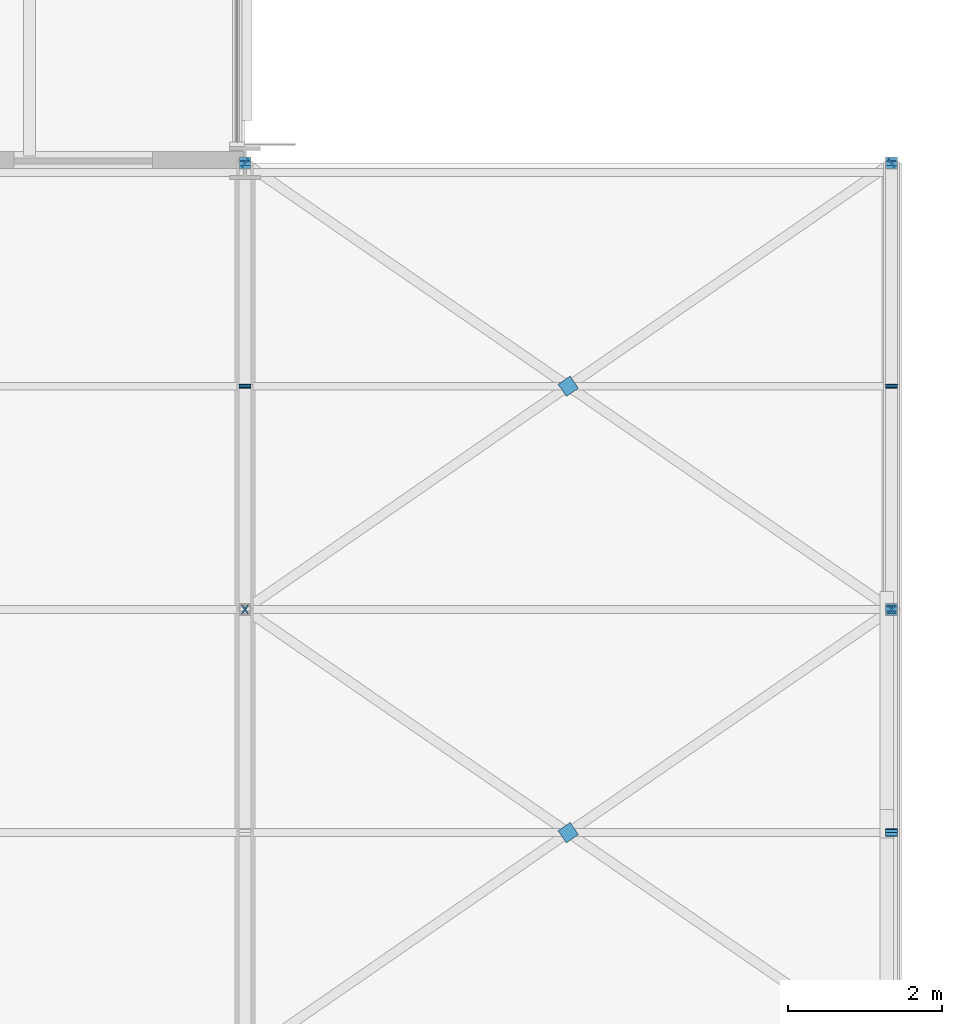
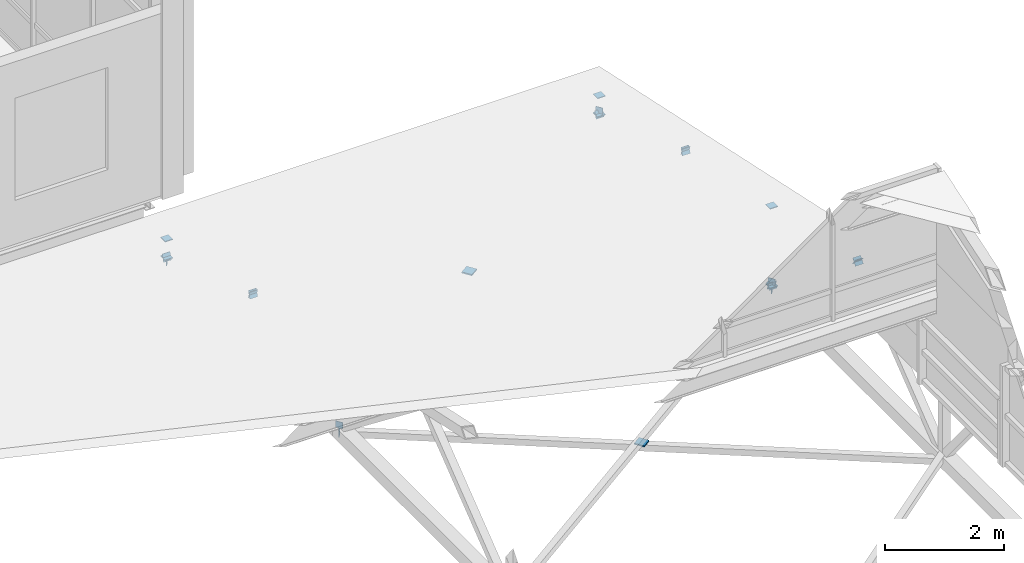
# One storey, part 71 of 89: 24 discrete accessories.
"""IFC4 building model written with IfcOpenShell, lengths in metres."""

from ifc_helpers import new_model, si_unit, direction, frame, origin, origin_2d, place, context, subcontext, project, spatial, rectangle, extrude, material, element, save


model = new_model("IFC4")

# Units and contexts
model_context = context("Model", 3, precision=1e-05, world=origin(), true_north=direction((0.0, 1.0)))
body_context = subcontext(model_context, "Body", "Model", "MODEL_VIEW")
ifc_project = project(units=[si_unit("LENGTHUNIT", "METRE"), si_unit("AREAUNIT", "SQUARE_METRE"), si_unit("VOLUMEUNIT", "CUBIC_METRE"), si_unit("PLANEANGLEUNIT", "RADIAN"), si_unit("MASSUNIT", "GRAM", prefix="KILO")], contexts=[model_context])

# Site, building, storey
site_placement = place(None, origin())
site = spatial("IfcSite", under=ifc_project, at=site_placement, CompositionType="ELEMENT")
building_placement = place(site_placement, origin())
building = spatial("IfcBuilding", under=site, at=building_placement, Name="Hlaing Beacon Police Headquarters", CompositionType="ELEMENT")
storey_placement = place(building_placement, frame((0.0, 0.0, 9.89990234375)))
storey = spatial("IfcBuildingStorey", under=building, at=storey_placement, Name="L02", CompositionType="ELEMENT", Elevation=9.89990234375)

# Discrete accessories
ifc_material = material(Name="Steel ASTM A572 Grade 50", Category="steel")
for number, where, z_axis, x_axis, name in (
    (1, (126.0, 33.60009765625, -1.36474609375), (0.0, 0.0, -1.0), (1.0, 0.0, 0.0), "Gusset plate GP-631"),
    (2, (126.0, 33.60009765625, -0.999755859375), (0.0, 0.0, 1.0), (1.0, 0.0, 0.0), "Gusset plate GP-632"),
):
    element("IfcDiscreteAccessory", number, at=place(storey_placement, frame(where, z_axis=z_axis, x_axis=x_axis)), inside=storey, material=ifc_material, Name=name, PredefinedType="BRACKET", context=body_context, shape_type="SweptSolid", body=[
        extrude(rectangle(XDim=0.15234375, YDim=0.15234375, at=origin_2d()), origin(), (0.0, 0.0, 1.0), 0.01611328125),
    ])
for number, where, z_axis, x_axis, name in (
    (3, (126.0, 30.6943359375, -0.36865234375), (0.0, 0.944755103934, 0.327777048603), (-1.0, 0.0, 0.0), "Gusset plate GP-646"),
    (4, (126.0, 30.70556640625, -0.36865234375), (0.0, -0.944763648383, 0.327752419815), (1.0, 0.0, 0.0), "Gusset plate GP-647"),
    (5, (126.0, 33.594482421875, -1.370849609375), (0.0, 0.944763648383, -0.327752419815), (-1.0, 0.0, 0.0), "Gusset plate GP-648"),
):
    element("IfcDiscreteAccessory", number, at=place(storey_placement, frame(where, z_axis=z_axis, x_axis=x_axis)), inside=storey, material=ifc_material, Name=name, PredefinedType="BRACKET", context=body_context, shape_type="SweptSolid", body=[
        extrude(rectangle(XDim=0.15234375, YDim=0.15234375, at=origin_2d()), origin(), (0.0, 0.0, 1.0), 0.011962890625),
    ])
for number, where, z_axis, x_axis, name in (
    (6, (134.39990234375, 27.800048828125, -1.36474609375), (0.0, 0.0, -1.0), (1.0, 0.0, 0.0), "Gusset plate GP-655"),
    (7, (134.39990234375, 27.800048828125, 0.250244140625), (0.0, 0.0, 1.0), (1.0, 0.0, 0.0), "Gusset plate GP-656"),
    (8, (134.39990234375, 33.60009765625, -1.36474609375), (0.0, 0.0, -1.0), (1.0, 0.0, 0.0), "Gusset plate GP-657"),
    (9, (134.39990234375, 33.60009765625, -0.999755859375), (0.0, 0.0, 1.0), (1.0, 0.0, 0.0), "Gusset plate GP-658"),
):
    element("IfcDiscreteAccessory", number, at=place(storey_placement, frame(where, z_axis=z_axis, x_axis=x_axis)), inside=storey, material=ifc_material, Name=name, PredefinedType="BRACKET", context=body_context, shape_type="SweptSolid", body=[
        extrude(rectangle(XDim=0.15234375, YDim=0.15234375, at=origin_2d()), origin(), (0.0, 0.0, 1.0), 0.01611328125),
    ])
for number, where, z_axis, x_axis, name in (
    (10, (134.39990234375, 24.89501953125, 0.879638671875), (0.0, 0.789269916933, 0.614046413738), (-1.0, 0.0, 0.0), "Gusset plate GP-668"),
    (11, (134.39990234375, 24.904541015625, 0.879638671875), (0.0, -0.789294969398, 0.614014210978), (1.0, 0.0, 0.0), "Gusset plate GP-669"),
    (12, (134.39990234375, 27.795166015625, -1.369140625), (0.0, 0.789294969398, -0.614014210978), (-1.0, 0.0, 0.0), "Gusset plate GP-670"),
    (13, (134.39990234375, 27.8056640625, -1.370849609375), (0.0, -0.944755103934, -0.327777048603), (1.0, 0.0, 0.0), "Gusset plate GP-671"),
    (14, (134.39990234375, 30.6943359375, -0.36865234375), (0.0, 0.944755103934, 0.327777048603), (-1.0, 0.0, 0.0), "Gusset plate GP-672"),
    (15, (134.39990234375, 30.70556640625, -0.36865234375), (0.0, -0.944763648383, 0.327752419815), (1.0, 0.0, 0.0), "Gusset plate GP-673"),
    (16, (134.39990234375, 33.594482421875, -1.370849609375), (0.0, 0.944763648383, -0.327752419815), (-1.0, 0.0, 0.0), "Gusset plate GP-674"),
):
    element("IfcDiscreteAccessory", number, at=place(storey_placement, frame(where, z_axis=z_axis, x_axis=x_axis)), inside=storey, material=ifc_material, Name=name, PredefinedType="BRACKET", context=body_context, shape_type="SweptSolid", body=[
        extrude(rectangle(XDim=0.15234375, YDim=0.15234375, at=origin_2d()), origin(), (0.0, 0.0, 1.0), 0.011962890625),
    ])
for number, where, z_axis, x_axis, name in (
    (17, (134.39501953125, 27.796630859375, -1.29931640625), (0.822891575455, 0.568198429288, 0.0), (-0.568198429288, 0.822891575455, 0.0), "Gusset plate GP-700"),
    (18, (126.0048828125, 27.796630859375, -1.4462890625), (-0.822891575455, 0.568198429288, 0.0), (-0.568198429288, -0.822891575455, 0.0), "Gusset plate GP-702"),
    (19, (126.0048828125, 27.803466796875, -1.29931640625), (-0.822891575455, -0.568198429288, 0.0), (0.568198429288, -0.822891575455, 0.0), "Gusset plate GP-703"),
    (20, (134.39501953125, 33.5966796875, -1.29931640625), (0.822891575455, 0.568198429288, 0.0), (-0.568198429288, 0.822891575455, 0.0), "Gusset plate GP-704"),
    (21, (134.39501953125, 27.803466796875, -1.4462890625), (0.822891575455, -0.568198429288, 0.0), (0.568198429288, 0.822891575455, 0.0), "Gusset plate GP-705"),
    (22, (126.0048828125, 33.5966796875, -1.4462890625), (-0.822891575455, 0.568198429288, 0.0), (-0.568198429288, -0.822891575455, 0.0), "Gusset plate GP-706"),
):
    element("IfcDiscreteAccessory", number, at=place(storey_placement, frame(where, z_axis=z_axis, x_axis=x_axis)), inside=storey, material=ifc_material, Name=name, PredefinedType="BRACKET", context=body_context, shape_type="SweptSolid", body=[
        extrude(rectangle(XDim=0.126953125, YDim=0.126953125, at=origin_2d()), origin(), (0.0, 0.0, 1.0), 0.011962890625),
    ])
for number, where, z_axis, x_axis, name in (
    (23, (130.199951171875, 24.89990234375, -1.385986328125), (0.0, 0.0, 1.0), (0.822896900602, 0.568190717083, 0.0), "Node plate NP-023"),
    (24, (130.199951171875, 30.699951171875, -1.385986328125), (0.0, 0.0, 1.0), (0.822896900602, 0.568190717083, 0.0), "Node plate NP-024"),
):
    element("IfcDiscreteAccessory", number, at=place(storey_placement, frame(where, z_axis=z_axis, x_axis=x_axis)), inside=storey, material=ifc_material, Name=name, PredefinedType="BRACKET", context=body_context, shape_type="SweptSolid", body=[
        extrude(rectangle(XDim=0.1904296875, YDim=0.1904296875, at=origin_2d()), origin(), (0.0, 0.0, 1.0), 0.02587890625),
    ])

save(model, "model.ifc")
